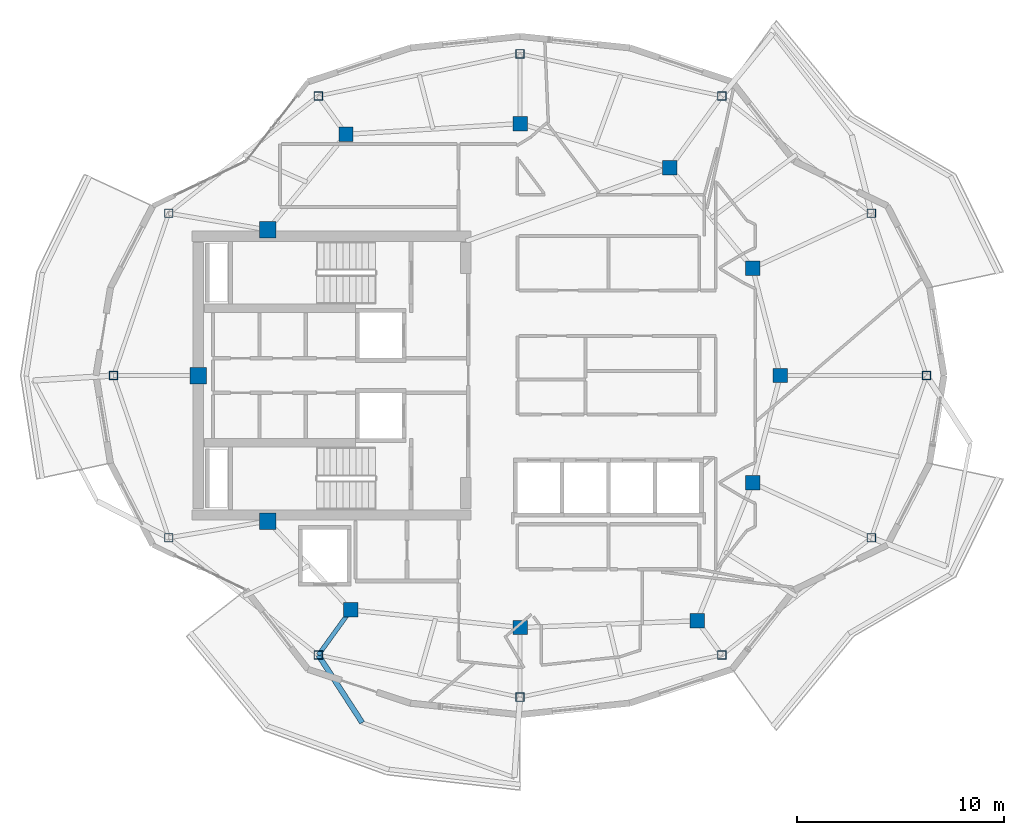
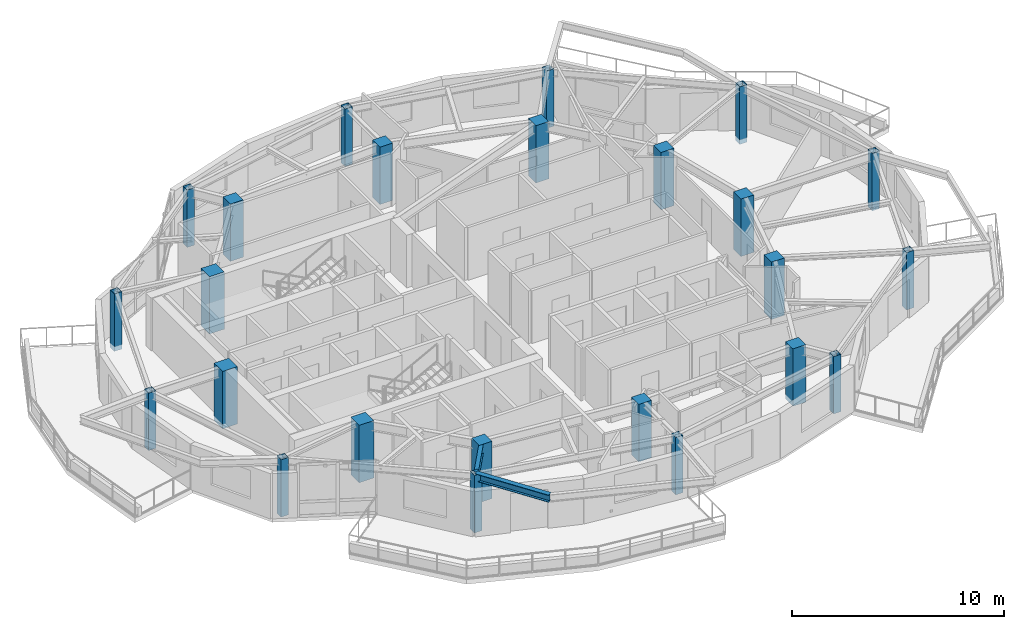
# One storey, part 1 of 14: 24 columns, 2 beams.
"""IFC4 building model written with IfcOpenShell, lengths in metres."""

from ifc_helpers import new_model, si_unit, direction, frame, origin, origin_2d, place, context, subcontext, project, spatial, rectangle, hollow_rectangle, i_section, extrude, material, material_profile, profile_set, type_object, element, save


model = new_model("IFC4")

# Units and contexts
model_context = context("Model", 3, precision=1e-05, world=origin(), true_north=direction((0.0, 1.0)))
body_context = subcontext(model_context, "Body", "Model", "MODEL_VIEW")
ifc_project = project(units=[si_unit("LENGTHUNIT", "METRE"), si_unit("AREAUNIT", "SQUARE_METRE"), si_unit("VOLUMEUNIT", "CUBIC_METRE"), si_unit("PLANEANGLEUNIT", "RADIAN"), si_unit("MASSUNIT", "GRAM", prefix="KILO")], contexts=[model_context])

# Site, building, storey
site_placement = place(None, origin())
site = spatial("IfcSite", under=ifc_project, at=site_placement, CompositionType="ELEMENT")
building_placement = place(site_placement, origin())
building = spatial("IfcBuilding", under=site, at=building_placement, Name="Kolvaren Gate Tower and Convention Centre", CompositionType="ELEMENT")
storey_placement = place(building_placement, frame((0.0, 0.0, 259.10009765625)))
storey = spatial("IfcBuildingStorey", under=building, at=storey_placement, Name="L70", CompositionType="ELEMENT", Elevation=259.10009765625)

# Columns
ifc_material_1 = material(Name="Structural steel ASTM A500 Grade C 345 MPa", Category="steel")
ifc_material_profile_1 = material_profile(ifc_material_1, hollow_rectangle(XDim=0.406005859375, YDim=0.406005859375, WallThickness=0.015869140625, at=origin_2d()), Name="HSS406X406X15.9")
ifc_profile_set_1 = profile_set([ifc_material_profile_1], Name="Structural steel ASTM A500 Grade C 345 MPa")
column_type_1 = type_object("IfcColumnType", Name="STR-COL-HSS406", PredefinedType="COLUMN", material=ifc_profile_set_1)
for number, where, z_axis, x_axis, name in (
    (1, (49.80615234375, 27.0, -0.27001953125), (0.0, 0.0, 1.0), (1.0, 0.0, 0.0), "Tower L70 Perimeter Supercolumn TP-01"),
    (2, (47.1337890625, 34.856201171875, -0.27001953125), (0.0, 0.0, 1.0), (1.0, 0.0, 0.0), "Tower L70 Perimeter Supercolumn TP-02"),
    (3, (39.893310546875, 40.53515625, -0.27001953125), (0.0, 0.0, 1.0), (1.0, 0.0, 0.0), "Tower L70 Perimeter Supercolumn TP-03"),
    (4, (30.125, 42.574951171875, -0.27001953125), (0.0, 0.0, 1.0), (1.0, 0.0, 0.0), "Tower L70 Perimeter Supercolumn TP-04"),
    (5, (20.356689453125, 40.53515625, -0.27001953125), (0.0, 0.0, 1.0), (1.0, 0.0, 0.0), "Tower L70 Perimeter Supercolumn TP-05"),
    (6, (13.1162109375, 34.856201171875, -0.27001953125), (0.0, 0.0, 1.0), (1.0, 0.0, 0.0), "Tower L70 Perimeter Supercolumn TP-06"),
    (7, (10.44384765625, 27.0, -0.27001953125), (0.0, 0.0, 1.0), (1.0, 0.0, 0.0), "Tower L70 Perimeter Supercolumn TP-07"),
    (8, (13.1162109375, 19.143798828125, -0.27001953125), (0.0, 0.0, 1.0), (1.0, 0.0, 0.0), "Tower L70 Perimeter Supercolumn TP-08"),
    (9, (20.356689453125, 13.46484375, -0.27001953125), (0.0, 0.0, 1.0), (1.0, 0.0, 0.0), "Tower L70 Perimeter Supercolumn TP-09"),
    (10, (30.125, 11.425048828125, -0.27001953125), (0.0, 0.0, 1.0), (1.0, 0.0, 0.0), "Tower L70 Perimeter Supercolumn TP-10"),
    (11, (39.893310546875, 13.46484375, -0.27001953125), (0.0, 0.0, 1.0), (1.0, 0.0, 0.0), "Tower L70 Perimeter Supercolumn TP-11"),
    (12, (47.1337890625, 19.143798828125, -0.27001953125), (0.0, 0.0, 1.0), (1.0, 0.0, 0.0), "Tower L70 Perimeter Supercolumn TP-12"),
):
    element("IfcColumn", number, at=place(storey_placement, frame(where, z_axis=z_axis, x_axis=x_axis)), inside=storey, type_object=column_type_1, Name=name, PredefinedType="COLUMN", context=body_context, shape_type="SweptSolid", body=[
        extrude(hollow_rectangle(XDim=0.406005859375, YDim=0.406005859375, WallThickness=0.015869140625, at=origin_2d()), origin(), (0.0, 0.0, 1.0), 3.2998046875),
    ])
ifc_material_2 = material(Name="Concrete C50/60", Category="concrete")
ifc_material_profile_2 = material_profile(ifc_material_2, rectangle(XDim=0.699951171875, YDim=0.699951171875, at=origin_2d()), Name="RC-COL-700X700")
ifc_profile_set_2 = profile_set([ifc_material_profile_2], Name="Concrete C50/60")
column_type_2 = type_object("IfcColumnType", Name="STR-COL-RC700", PredefinedType="COLUMN", material=ifc_profile_set_2)
for number, where, z_axis, x_axis, name in (
    (13, (42.72509765625, 27.0, -0.27001953125), (0.0, 0.0, 1.0), (1.0, 0.0, 0.0), "Tower L70 Interior Column TI-01"),
    (14, (41.382080078125, 32.199462890625, -0.27001953125), (0.0, 0.0, 1.0), (1.0, 0.0, 0.0), "Tower L70 Interior Column TI-02"),
    (15, (37.381591796875, 37.054931640625, -0.27001953125), (0.0, 0.0, 1.0), (1.0, 0.0, 0.0), "Tower L70 Interior Column TI-03"),
    (16, (30.125, 39.199951171875, -0.27001953125), (0.0, 0.0, 1.0), (1.0, 0.0, 0.0), "Tower L70 Interior Column TI-04"),
    (17, (21.697998046875, 38.6767578125, -0.27001953125), (0.0, 0.0, 1.0), (1.0, 0.0, 0.0), "Tower L70 Interior Column TI-05"),
    (18, (21.93212890625, 15.647705078125, -0.27001953125), (0.0, 0.0, 1.0), (1.0, 0.0, 0.0), "Tower L70 Interior Column TI-06"),
    (19, (30.125, 14.800048828125, -0.27001953125), (0.0, 0.0, 1.0), (1.0, 0.0, 0.0), "Tower L70 Interior Column TI-07"),
    (20, (38.6982421875, 15.12060546875, -0.27001953125), (0.0, 0.0, 1.0), (1.0, 0.0, 0.0), "Tower L70 Interior Column TI-08"),
    (21, (41.382080078125, 21.800537109375, -0.27001953125), (0.0, 0.0, 1.0), (1.0, 0.0, 0.0), "Tower L70 Interior Column TI-09"),
):
    element("IfcColumn", number, at=place(storey_placement, frame(where, z_axis=z_axis, x_axis=x_axis)), inside=storey, type_object=column_type_2, Name=name, PredefinedType="COLUMN", context=body_context, shape_type="SweptSolid", body=[
        extrude(rectangle(XDim=0.699951171875, YDim=0.699951171875, at=origin_2d()), origin(), (0.0, 0.0, 1.0), 3.2998046875),
    ])
ifc_material_3 = material(Name="Concrete C60/75", Category="concrete")
ifc_material_profile_3 = material_profile(ifc_material_3, rectangle(XDim=0.800048828125, YDim=0.800048828125, at=origin_2d()), Name="RC-COL-800X800")
ifc_profile_set_3 = profile_set([ifc_material_profile_3], Name="Concrete C60/75")
column_type_3 = type_object("IfcColumnType", Name="STR-PIL-RC800", PredefinedType="PILASTER", material=ifc_profile_set_3)
for number, where, z_axis, x_axis, name in (
    (22, (17.9140625, 34.050048828125, -0.27001953125), (0.0, 0.0, 1.0), (1.0, 0.0, 0.0), "Tower L70 Core Boundary Pilaster TC-05"),
    (23, (14.550048828125, 27.0, -0.27001953125), (0.0, 0.0, 1.0), (1.0, 0.0, 0.0), "Tower L70 Core Boundary Pilaster TC-06"),
    (24, (17.9140625, 19.949951171875, -0.27001953125), (0.0, 0.0, 1.0), (1.0, 0.0, 0.0), "Tower L70 Core Boundary Pilaster TC-07"),
):
    element("IfcColumn", number, at=place(storey_placement, frame(where, z_axis=z_axis, x_axis=x_axis)), inside=storey, type_object=column_type_3, Name=name, PredefinedType="PILASTER", context=body_context, shape_type="SweptSolid", body=[
        extrude(rectangle(XDim=0.800048828125, YDim=0.800048828125, at=origin_2d()), origin(), (0.0, 0.0, 1.0), 3.2998046875),
    ])

# Beams
ifc_material_4 = material(Name="Structural steel ASTM A992 Grade 345 MPa", Category="steel")
ifc_material_profile_4 = material_profile(ifc_material_4, i_section(OverallWidth=0.260009765625, OverallDepth=0.419921875, WebThickness=0.013427734375, FlangeThickness=0.0224609375, at=origin_2d()), Name="W410X132")
ifc_profile_set_4 = profile_set([ifc_material_profile_4], Name="Structural steel ASTM A992 Grade 345 MPa")
beam_type_1 = type_object("IfcBeamType", Name="STR-BM-W410X132", PredefinedType="BEAM", material=ifc_profile_set_4)
beam_1_placement = place(storey_placement, frame((20.356689453125, 13.46484375, 2.8203125), z_axis=(0.544416149216, -0.838815269575, 0.0), x_axis=(0.838815269575, 0.544416149216, 0.0)))
element("IfcBeam", 25, at=beam_1_placement, inside=storey, type_object=beam_type_1, Name="Tower L71 Planted Balcony Outrigger Cantilever BC-3A", PredefinedType="BEAM", context=body_context, shape_type="SweptSolid", body=[
    extrude(i_section(OverallWidth=0.260009765625, OverallDepth=0.419921875, WebThickness=0.013427734375, FlangeThickness=0.0224609375, at=origin_2d()), origin(), (0.0, 0.0, 1.0), 3.900146484375),
])
ifc_material_profile_5 = material_profile(ifc_material_4, i_section(OverallWidth=0.2119140625, OverallDepth=0.5439453125, WebThickness=0.01318359375, FlangeThickness=0.021240234375, at=origin_2d()), Name="W530X123")
ifc_profile_set_5 = profile_set([ifc_material_profile_5], Name="Structural steel ASTM A992 Grade 345 MPa")
beam_type_2 = type_object("IfcBeamType", Name="STR-BM-W530X123", PredefinedType="BEAM", material=ifc_profile_set_5)
beam_2_placement = place(storey_placement, frame((21.93212890625, 15.647705078125, 2.7578125), z_axis=(-0.585228935975, -0.810868110421, 0.0), x_axis=(0.810868110421, -0.585228935975, 0.0)))
element("IfcBeam", 26, at=beam_2_placement, inside=storey, type_object=beam_type_2, Name="Tower L70 Radial Floor Girder RB-09", PredefinedType="BEAM", context=body_context, shape_type="SweptSolid", body=[
    extrude(i_section(OverallWidth=0.2119140625, OverallDepth=0.5439453125, WebThickness=0.01318359375, FlangeThickness=0.021240234375, at=origin_2d()), origin(), (0.0, 0.0, 1.0), 2.69189453125),
])

save(model, "model.ifc")
